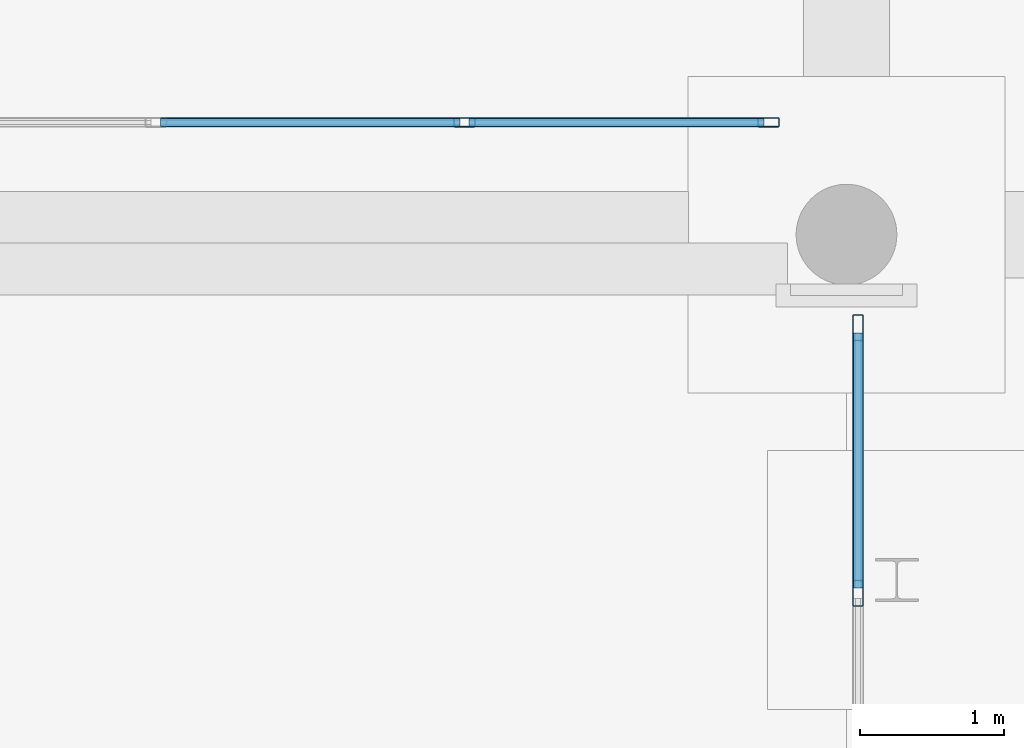
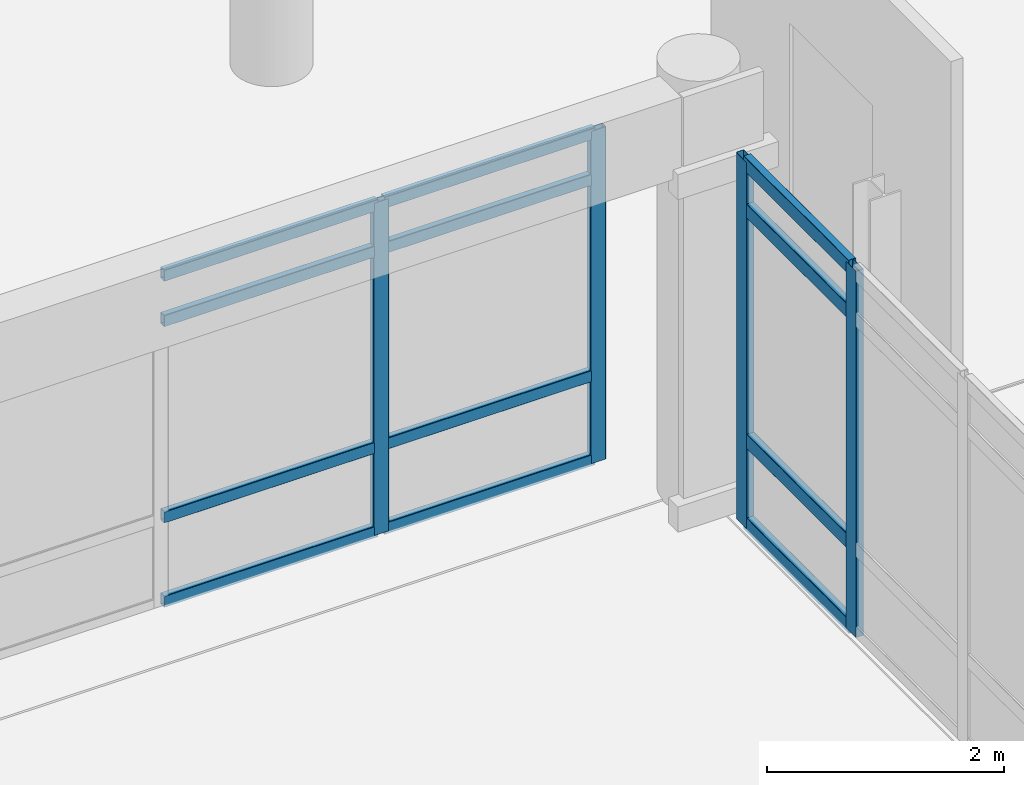
# One storey, part 113 of 196: 16 members, 2 elements without a shape of their own.
"""IFC4 building model written with IfcOpenShell, lengths in metres."""

from ifc_helpers import new_model, si_unit, direction, frame, origin, origin_2d, place, context, subcontext, project, spatial, hollow_rectangle, extrude, material, layer, layer_set, material_profile, profile_set, type_object, element, aggregate, save


model = new_model("IFC4")

# Units and contexts
model_context = context("Model", 3, precision=1e-05, world=origin(), true_north=direction((0.0, 1.0)))
body_context = subcontext(model_context, "Body", "Model", "MODEL_VIEW")
ifc_project = project(units=[si_unit("LENGTHUNIT", "METRE"), si_unit("AREAUNIT", "SQUARE_METRE"), si_unit("VOLUMEUNIT", "CUBIC_METRE"), si_unit("PLANEANGLEUNIT", "RADIAN"), si_unit("MASSUNIT", "GRAM", prefix="KILO")], contexts=[model_context])

# Site, building, storey
site_placement = place(None, origin())
site = spatial("IfcSite", under=ifc_project, at=site_placement, CompositionType="ELEMENT")
building_placement = place(site_placement, origin())
building = spatial("IfcBuilding", under=site, at=building_placement, Name="Asteropetra Specialist Clinic", CompositionType="ELEMENT")
storey_placement = place(building_placement, origin())
storey = spatial("IfcBuildingStorey", under=building, at=storey_placement, Name="L00", CompositionType="ELEMENT", Elevation=0.0)

# Curtain wall, members
ifc_material_1 = material(Name="Aluminium and low-E glass", Category="aluminium")
ifc_layer_1 = layer(ifc_material_1, 0.179931640625)
ifc_layer_set_1 = layer_set([ifc_layer_1], Name="Aluminium and low-E glass")
curtain_wall_type_1 = type_object("IfcCurtainWallType", Name="CW-SYS-10", PredefinedType="USERDEFINED", material=ifc_layer_set_1)
curtain_wall_1_placement = place(storey_placement, origin())
curtain_wall_1 = element("IfcCurtainWall", 1, at=curtain_wall_1_placement, inside=storey, type_object=curtain_wall_type_1, Name="Curtain Wall CW-208", ObjectType="STICK GLAZED COLONNADE", PredefinedType="USERDEFINED")
ifc_material_2 = material(Name="Aluminium 6063-T6", Category="aluminium")
ifc_material_profile_1 = material_profile(ifc_material_2, hollow_rectangle(XDim=0.06494140625, YDim=0.14990234375, WallThickness=0.00390625, InnerFilletRadius=0.00390625, OuterFilletRadius=0.008056640625, at=origin_2d()), Name="MUL 150x65x4.0")
ifc_profile_set_1 = profile_set([ifc_material_profile_1], Name="Aluminium 6063-T6")
member_type_1 = type_object("IfcMemberType", Name="CWM-150x65", PredefinedType="MULLION", material=ifc_profile_set_1)
member_1_placement = place(storey_placement, frame((112.544921875, 77.580078125, 0.0), z_axis=(0.0, 0.0, 1.0), x_axis=(0.0, 1.0, 0.0)))
member_1 = element("IfcMember", 2, at=member_1_placement, type_object=member_type_1, Name="CW-208 mullion 4", PredefinedType="MULLION", context=body_context, shape_type="SweptSolid", body=[
    extrude(hollow_rectangle(XDim=0.06494140625, YDim=0.14990234375, WallThickness=0.00390625, InnerFilletRadius=0.00390625, OuterFilletRadius=0.008056640625, at=origin_2d()), origin(), (0.0, 0.0, 1.0), 3.419921875),
])
member_2_placement = place(storey_placement, frame((114.657470703125, 77.580078125, 0.0), z_axis=(0.0, 0.0, 1.0), x_axis=(0.0, 1.0, 0.0)))
member_2 = element("IfcMember", 3, at=member_2_placement, type_object=member_type_1, Name="CW-208 mullion 5", PredefinedType="MULLION", context=body_context, shape_type="SweptSolid", body=[
    extrude(hollow_rectangle(XDim=0.06494140625, YDim=0.14990234375, WallThickness=0.00390625, InnerFilletRadius=0.00390625, OuterFilletRadius=0.008056640625, at=origin_2d()), origin(), (0.0, 0.0, 1.0), 3.419921875),
])

ifc_material_3 = material(Name="Aluminium and low-E glass", Category="aluminium")
ifc_layer_2 = layer(ifc_material_3, 0.135009765625)
ifc_layer_set_2 = layer_set([ifc_layer_2], Name="Aluminium and low-E glass")
curtain_wall_type_2 = type_object("IfcCurtainWallType", Name="CW-SYS-12", PredefinedType="USERDEFINED", material=ifc_layer_set_2)
curtain_wall_2_placement = place(storey_placement, origin())
curtain_wall_2 = element("IfcCurtainWall", 4, at=curtain_wall_2_placement, inside=storey, type_object=curtain_wall_type_2, Name="Curtain Wall CW-117", ObjectType="STICK GLAZED COLONNADE", PredefinedType="USERDEFINED")
ifc_material_4 = material(Name="Aluminium 6063-T6", Category="aluminium")
ifc_material_profile_2 = material_profile(ifc_material_4, hollow_rectangle(XDim=0.074951171875, YDim=0.179931640625, WallThickness=0.00390625, InnerFilletRadius=0.00390625, OuterFilletRadius=0.008056640625, at=origin_2d()), Name="MUL 180x75x4.0")
ifc_profile_set_2 = profile_set([ifc_material_profile_2], Name="Aluminium 6063-T6")
member_type_2 = type_object("IfcMemberType", Name="CWM-180x75", PredefinedType="MULLION", material=ifc_profile_set_2)
member_3_placement = place(storey_placement, frame((115.280029296875, 74.30712890625, 0.0), z_axis=(0.0, 0.0, 1.0), x_axis=(-1.0, 0.0, 0.0)))
member_3 = element("IfcMember", 5, at=member_3_placement, type_object=member_type_2, Name="CW-117 mullion 7", PredefinedType="MULLION", context=body_context, shape_type="SweptSolid", body=[
    extrude(hollow_rectangle(XDim=0.074951171875, YDim=0.179931640625, WallThickness=0.00390625, InnerFilletRadius=0.00390625, OuterFilletRadius=0.008056640625, at=origin_2d()), origin(), (0.0, 0.0, 1.0), 3.77001953125),
])
member_4_placement = place(storey_placement, frame((115.280029296875, 76.152587890625, 0.0), z_axis=(0.0, 0.0, 1.0), x_axis=(-1.0, 0.0, 0.0)))
member_4 = element("IfcMember", 6, at=member_4_placement, type_object=member_type_2, Name="CW-117 mullion 8", PredefinedType="MULLION", context=body_context, shape_type="SweptSolid", body=[
    extrude(hollow_rectangle(XDim=0.074951171875, YDim=0.179931640625, WallThickness=0.00390625, InnerFilletRadius=0.00390625, OuterFilletRadius=0.008056640625, at=origin_2d()), origin(), (0.0, 0.0, 1.0), 3.77001953125),
])

# Member
ifc_material_5 = material(Name="Aluminium 6063-T6", Category="aluminium")
ifc_material_profile_3 = material_profile(ifc_material_5, hollow_rectangle(XDim=0.06494140625, YDim=0.1201171875, WallThickness=0.00390625, InnerFilletRadius=0.00390625, OuterFilletRadius=0.008056640625, at=origin_2d()), Name="TRN 120x65x4.0")
ifc_profile_set_3 = profile_set([ifc_material_profile_3], Name="Aluminium 6063-T6")
member_type_3 = type_object("IfcMemberType", Name="CWT-120x65", PredefinedType="USERDEFINED", material=ifc_profile_set_3)
member_5_placement = place(storey_placement, frame((110.4326171875, 77.580078125, 0.032470703125), z_axis=(1.0, 0.0, 0.0), x_axis=(0.0, 1.0, 0.0)))
member_5 = element("IfcMember", 7, at=member_5_placement, type_object=member_type_3, Name="CW-208 transom 3.1", ObjectType="TRANSOM", PredefinedType="USERDEFINED", context=body_context, shape_type="SweptSolid", body=[
    extrude(hollow_rectangle(XDim=0.06494140625, YDim=0.1201171875, WallThickness=0.00390625, InnerFilletRadius=0.00390625, OuterFilletRadius=0.008056640625, at=origin_2d()), origin(), (0.0, 0.0, 1.0), 2.079833984375),
])

member_6_placement = place(storey_placement, frame((110.4326171875, 77.580078125, 0.89990234375), z_axis=(1.0, 0.0, 0.0), x_axis=(0.0, 1.0, 0.0)))
member_6 = element("IfcMember", 8, at=member_6_placement, type_object=member_type_3, Name="CW-208 transom 3.2", ObjectType="TRANSOM", PredefinedType="USERDEFINED", context=body_context, shape_type="SweptSolid", body=[
    extrude(hollow_rectangle(XDim=0.06494140625, YDim=0.1201171875, WallThickness=0.00390625, InnerFilletRadius=0.00390625, OuterFilletRadius=0.008056640625, at=origin_2d()), origin(), (0.0, 0.0, 1.0), 2.079833984375),
])

member_7_placement = place(storey_placement, frame((110.4326171875, 77.580078125, 2.919921875), z_axis=(1.0, 0.0, 0.0), x_axis=(0.0, 1.0, 0.0)))
member_7 = element("IfcMember", 9, at=member_7_placement, type_object=member_type_3, Name="CW-208 transom 3.3", ObjectType="TRANSOM", PredefinedType="USERDEFINED", context=body_context, shape_type="SweptSolid", body=[
    extrude(hollow_rectangle(XDim=0.06494140625, YDim=0.1201171875, WallThickness=0.00390625, InnerFilletRadius=0.00390625, OuterFilletRadius=0.008056640625, at=origin_2d()), origin(), (0.0, 0.0, 1.0), 2.079833984375),
])

member_8_placement = place(storey_placement, frame((110.4326171875, 77.580078125, 3.387451171875), z_axis=(1.0, 0.0, 0.0), x_axis=(0.0, 1.0, 0.0)))
member_8 = element("IfcMember", 10, at=member_8_placement, type_object=member_type_3, Name="CW-208 transom 3.4", ObjectType="TRANSOM", PredefinedType="USERDEFINED", context=body_context, shape_type="SweptSolid", body=[
    extrude(hollow_rectangle(XDim=0.06494140625, YDim=0.1201171875, WallThickness=0.00390625, InnerFilletRadius=0.00390625, OuterFilletRadius=0.008056640625, at=origin_2d()), origin(), (0.0, 0.0, 1.0), 2.079833984375),
])

member_9_placement = place(storey_placement, frame((112.577392578125, 77.580078125, 0.032470703125), z_axis=(1.0, 0.0, 0.0), x_axis=(0.0, 1.0, 0.0)))
member_9 = element("IfcMember", 11, at=member_9_placement, type_object=member_type_3, Name="CW-208 transom 4.1", ObjectType="TRANSOM", PredefinedType="USERDEFINED", context=body_context, shape_type="SweptSolid", body=[
    extrude(hollow_rectangle(XDim=0.06494140625, YDim=0.1201171875, WallThickness=0.00390625, InnerFilletRadius=0.00390625, OuterFilletRadius=0.008056640625, at=origin_2d()), origin(), (0.0, 0.0, 1.0), 2.047607421875),
])

member_10_placement = place(storey_placement, frame((112.577392578125, 77.580078125, 0.89990234375), z_axis=(1.0, 0.0, 0.0), x_axis=(0.0, 1.0, 0.0)))
member_10 = element("IfcMember", 12, at=member_10_placement, type_object=member_type_3, Name="CW-208 transom 4.2", ObjectType="TRANSOM", PredefinedType="USERDEFINED", context=body_context, shape_type="SweptSolid", body=[
    extrude(hollow_rectangle(XDim=0.06494140625, YDim=0.1201171875, WallThickness=0.00390625, InnerFilletRadius=0.00390625, OuterFilletRadius=0.008056640625, at=origin_2d()), origin(), (0.0, 0.0, 1.0), 2.047607421875),
])

member_11_placement = place(storey_placement, frame((112.577392578125, 77.580078125, 2.919921875), z_axis=(1.0, 0.0, 0.0), x_axis=(0.0, 1.0, 0.0)))
member_11 = element("IfcMember", 13, at=member_11_placement, type_object=member_type_3, Name="CW-208 transom 4.3", ObjectType="TRANSOM", PredefinedType="USERDEFINED", context=body_context, shape_type="SweptSolid", body=[
    extrude(hollow_rectangle(XDim=0.06494140625, YDim=0.1201171875, WallThickness=0.00390625, InnerFilletRadius=0.00390625, OuterFilletRadius=0.008056640625, at=origin_2d()), origin(), (0.0, 0.0, 1.0), 2.047607421875),
])

member_12_placement = place(storey_placement, frame((112.577392578125, 77.580078125, 3.387451171875), z_axis=(1.0, 0.0, 0.0), x_axis=(0.0, 1.0, 0.0)))
member_12 = element("IfcMember", 14, at=member_12_placement, type_object=member_type_3, Name="CW-208 transom 4.4", ObjectType="TRANSOM", PredefinedType="USERDEFINED", context=body_context, shape_type="SweptSolid", body=[
    extrude(hollow_rectangle(XDim=0.06494140625, YDim=0.1201171875, WallThickness=0.00390625, InnerFilletRadius=0.00390625, OuterFilletRadius=0.008056640625, at=origin_2d()), origin(), (0.0, 0.0, 1.0), 2.047607421875),
])

aggregate(curtain_wall_1, [member_1, member_2, member_5, member_6, member_7, member_8, member_9, member_10, member_11, member_12])

ifc_material_6 = material(Name="Aluminium 6063-T6", Category="aluminium")
ifc_material_profile_4 = material_profile(ifc_material_6, hollow_rectangle(XDim=0.074951171875, YDim=0.14990234375, WallThickness=0.00390625, InnerFilletRadius=0.00390625, OuterFilletRadius=0.008056640625, at=origin_2d()), Name="TRN 150x75x4.0")
ifc_profile_set_4 = profile_set([ifc_material_profile_4], Name="Aluminium 6063-T6")
member_type_4 = type_object("IfcMemberType", Name="CWT-150x75", PredefinedType="USERDEFINED", material=ifc_profile_set_4)
member_13_placement = place(storey_placement, frame((115.280029296875, 74.3447265625, 0.03759765625), z_axis=(0.0, 1.0, 0.0), x_axis=(-1.0, 0.0, 0.0)))
member_13 = element("IfcMember", 15, at=member_13_placement, type_object=member_type_4, Name="CW-117 transom 7.1", ObjectType="TRANSOM", PredefinedType="USERDEFINED", context=body_context, shape_type="SweptSolid", body=[
    extrude(hollow_rectangle(XDim=0.074951171875, YDim=0.14990234375, WallThickness=0.00390625, InnerFilletRadius=0.00390625, OuterFilletRadius=0.008056640625, at=origin_2d()), origin(), (0.0, 0.0, 1.0), 1.770263671875),
])

member_14_placement = place(storey_placement, frame((115.280029296875, 74.3447265625, 0.89990234375), z_axis=(0.0, 1.0, 0.0), x_axis=(-1.0, 0.0, 0.0)))
member_14 = element("IfcMember", 16, at=member_14_placement, type_object=member_type_4, Name="CW-117 transom 7.2", ObjectType="TRANSOM", PredefinedType="USERDEFINED", context=body_context, shape_type="SweptSolid", body=[
    extrude(hollow_rectangle(XDim=0.074951171875, YDim=0.14990234375, WallThickness=0.00390625, InnerFilletRadius=0.00390625, OuterFilletRadius=0.008056640625, at=origin_2d()), origin(), (0.0, 0.0, 1.0), 1.770263671875),
])

member_15_placement = place(storey_placement, frame((115.280029296875, 74.3447265625, 3.27001953125), z_axis=(0.0, 1.0, 0.0), x_axis=(-1.0, 0.0, 0.0)))
member_15 = element("IfcMember", 17, at=member_15_placement, type_object=member_type_4, Name="CW-117 transom 7.3", ObjectType="TRANSOM", PredefinedType="USERDEFINED", context=body_context, shape_type="SweptSolid", body=[
    extrude(hollow_rectangle(XDim=0.074951171875, YDim=0.14990234375, WallThickness=0.00390625, InnerFilletRadius=0.00390625, OuterFilletRadius=0.008056640625, at=origin_2d()), origin(), (0.0, 0.0, 1.0), 1.770263671875),
])

member_16_placement = place(storey_placement, frame((115.280029296875, 74.3447265625, 3.732421875), z_axis=(0.0, 1.0, 0.0), x_axis=(-1.0, 0.0, 0.0)))
member_16 = element("IfcMember", 18, at=member_16_placement, type_object=member_type_4, Name="CW-117 transom 7.4", ObjectType="TRANSOM", PredefinedType="USERDEFINED", context=body_context, shape_type="SweptSolid", body=[
    extrude(hollow_rectangle(XDim=0.074951171875, YDim=0.14990234375, WallThickness=0.00390625, InnerFilletRadius=0.00390625, OuterFilletRadius=0.008056640625, at=origin_2d()), origin(), (0.0, 0.0, 1.0), 1.770263671875),
])

aggregate(curtain_wall_2, [member_3, member_4, member_13, member_14, member_15, member_16])

save(model, "model.ifc")
